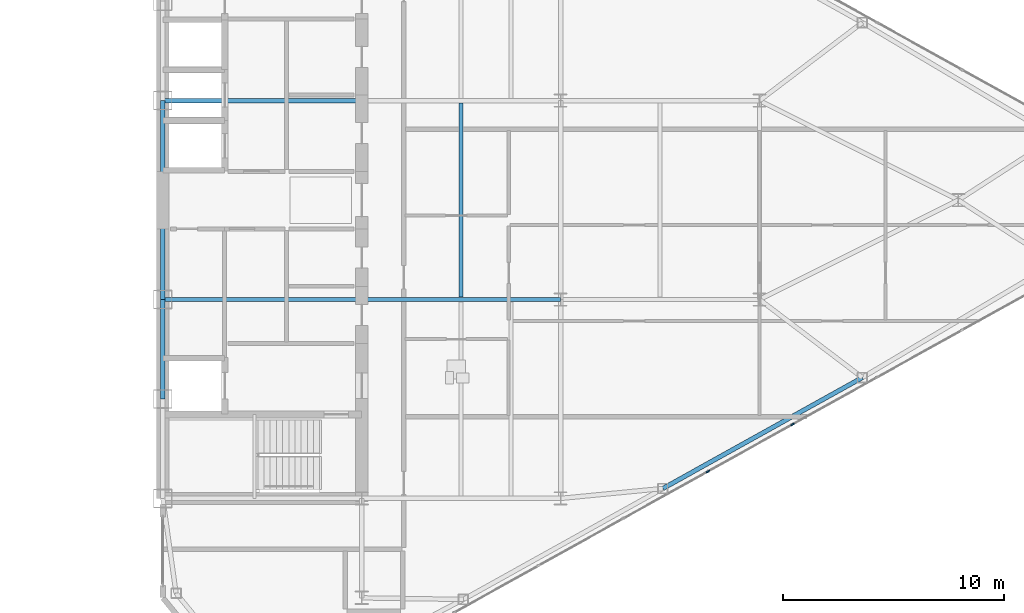
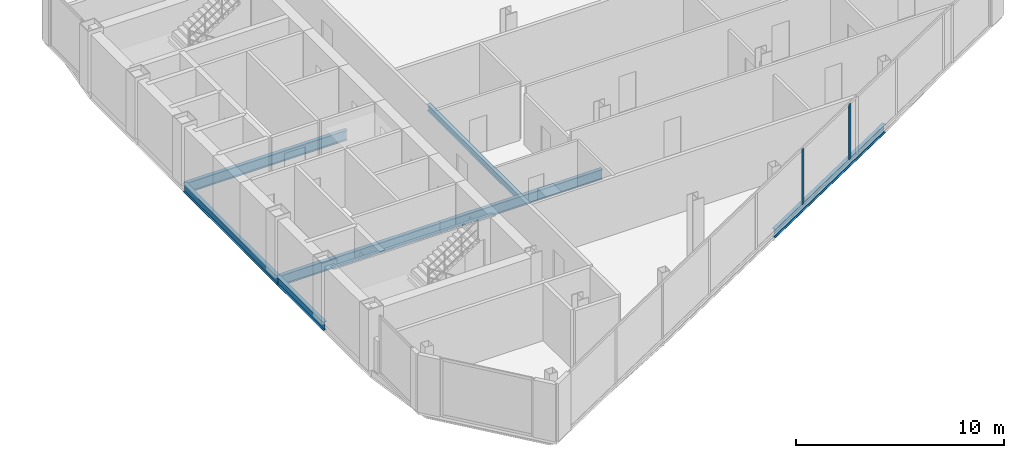
# One storey, part 13 of 26: 7 beams, 2 members, 1 element without a shape of its own.
"""IFC4 building model written with IfcOpenShell, lengths in metres."""

from ifc_helpers import new_model, si_unit, direction, frame, origin, origin_2d, place, context, subcontext, project, spatial, rectangle, i_section, extrude, source, transform, mapped, material, layer, layer_set, material_profile, profile_set, type_object, type_shapes, element, aggregate, save


model = new_model("IFC4")

# Units and contexts
model_context = context("Model", 3, precision=1e-05, world=origin(), true_north=direction((0.0, 1.0)))
body_context = subcontext(model_context, "Body", "Model", "MODEL_VIEW")
ifc_project = project(units=[si_unit("LENGTHUNIT", "METRE"), si_unit("AREAUNIT", "SQUARE_METRE"), si_unit("VOLUMEUNIT", "CUBIC_METRE"), si_unit("PLANEANGLEUNIT", "RADIAN"), si_unit("MASSUNIT", "GRAM", prefix="KILO")], contexts=[model_context])

# Site, building, storey
site_placement = place(None, origin())
site = spatial("IfcSite", under=ifc_project, at=site_placement, CompositionType="ELEMENT")
building_placement = place(site_placement, origin())
building = spatial("IfcBuilding", under=site, at=building_placement, Name="Seokmaru Belvedere", CompositionType="ELEMENT")
storey_placement = place(building_placement, frame((0.0, 0.0, 192.300048828125)))
storey = spatial("IfcBuildingStorey", under=building, at=storey_placement, Name="L51", CompositionType="ELEMENT", Elevation=192.300048828125)

# Beams
ifc_material_1 = material(Name="Steel SM355 (355 MPa)", Category="steel")
ifc_material_profile_1 = material_profile(ifc_material_1, i_section(OverallWidth=0.199951171875, OverallDepth=0.5, WebThickness=0.010009765625, FlangeThickness=0.01611328125, at=origin_2d()), Name="H-500x200x10x16")
ifc_profile_set_1 = profile_set([ifc_material_profile_1], Name="Steel SM355 (355 MPa)")
beam_type_1 = type_object("IfcBeamType", Name="Perimeter Spandrel Beam H-500", PredefinedType="SPANDREL", material=ifc_profile_set_1)
shared_shape_1 = source(origin(), body_context, "Body", "SweptSolid", [
    extrude(i_section(OverallWidth=0.199951171875, OverallDepth=0.5, WebThickness=0.010009765625, FlangeThickness=0.01611328125, at=origin_2d()), origin(), (0.0, 0.0, 1.0), 4.5),
])
beam_1_placement = place(storey_placement, frame((27.5, -9.0, -0.469970703125), z_axis=(0.0, 1.0, 0.0), x_axis=(-1.0, 0.0, 0.0)))
element("IfcBeam", 1, at=beam_1_placement, inside=storey, type_object=beam_type_1, Name="L51 E Portal Spine Spandrel 2", PredefinedType="SPANDREL", context=body_context, shape_type="MappedRepresentation", body=[
    mapped(shared_shape_1, transform((0.0, 0.0, 0.0), scale=1.0)),
])
shared_shape_2 = source(origin(), body_context, "Body", "SweptSolid", [
    extrude(i_section(OverallWidth=0.199951171875, OverallDepth=0.5, WebThickness=0.010009765625, FlangeThickness=0.01611328125, at=origin_2d()), origin(), (0.0, 0.0, 1.0), 9.0),
])
beam_2_placement = place(storey_placement, frame((27.5, -4.5, -0.469970703125), z_axis=(0.0, 1.0, 0.0), x_axis=(-1.0, 0.0, 0.0)))
element("IfcBeam", 2, at=beam_2_placement, inside=storey, type_object=beam_type_1, Name="L51 E Portal Spine Spandrel 3", PredefinedType="SPANDREL", context=body_context, shape_type="MappedRepresentation", body=[
    mapped(shared_shape_2, transform((0.0, 0.0, 0.0), scale=1.0)),
])
ifc_material_profile_2 = material_profile(ifc_material_1, i_section(OverallWidth=0.199951171875, OverallDepth=0.60009765625, WebThickness=0.010986328125, FlangeThickness=0.01708984375, at=origin_2d()), Name="H-600x200x11x17")
ifc_profile_set_2 = profile_set([ifc_material_profile_2], Name="Steel SM355 (355 MPa)")
beam_type_2 = type_object("IfcBeamType", Name="Primary Floor Girder H-600", PredefinedType="BEAM", material=ifc_profile_set_2)
shared_shape_3 = source(origin(), body_context, "Body", "SweptSolid", [
    extrude(i_section(OverallWidth=0.199951171875, OverallDepth=0.60009765625, WebThickness=0.010986328125, FlangeThickness=0.01708984375, at=origin_2d()), origin(), (0.0, 0.0, 1.0), 9.0),
])
type_shapes(beam_type_2, [shared_shape_3])
for number, where, z_axis, x_axis, name in (
    (3, (27.5, -4.5, -0.52001953125), (1.0, 0.0, 0.0), (0.0, 1.0, 0.0), "L51 E Core Tie Girder 2"),
    (4, (36.5, -4.5, -0.52001953125), (1.0, 0.0, 0.0), (0.0, 1.0, 0.0), "L51 E Wing Primary Girder 2"),
    (5, (27.5, 4.5, -0.52001953125), (1.0, 0.0, 0.0), (0.0, 1.0, 0.0), "L51 E Core Tie Girder 3"),
):
    element("IfcBeam", number, at=place(storey_placement, frame(where, z_axis=z_axis, x_axis=x_axis)), inside=storey, type_object=beam_type_2, Name=name, PredefinedType="BEAM", context=body_context, shape_type="MappedRepresentation", body=[
        mapped(shared_shape_3, transform((0.0, 0.0, 0.0), scale=1.0)),
    ])
ifc_material_profile_3 = material_profile(ifc_material_1, i_section(OverallWidth=0.18505859375, OverallDepth=0.389892578125, WebThickness=0.008056640625, FlangeThickness=0.011962890625, at=origin_2d()), Name="H-390x185x8x12")
ifc_profile_set_3 = profile_set([ifc_material_profile_3], Name="Steel SM355 (355 MPa)")
beam_type_3 = type_object("IfcBeamType", Name="Secondary Floor Joist H-350", PredefinedType="JOIST", material=ifc_profile_set_3)
shared_shape_4 = source(origin(), body_context, "Body", "SweptSolid", [
    extrude(i_section(OverallWidth=0.18505859375, OverallDepth=0.389892578125, WebThickness=0.008056640625, FlangeThickness=0.011962890625, at=origin_2d()), origin(), (0.0, 0.0, 1.0), 8.7900390625),
])
type_shapes(beam_type_3, [shared_shape_4])
beam_3_placement = place(storey_placement, frame((41.0, -4.39501953125, -0.4150390625), z_axis=(0.0, 1.0, 0.0), x_axis=(-1.0, 0.0, 0.0)))
element("IfcBeam", 6, at=beam_3_placement, inside=storey, type_object=beam_type_3, Name="L51 E Secondary Floor Joist 2", PredefinedType="JOIST", context=body_context, shape_type="MappedRepresentation", body=[
    mapped(shared_shape_4, transform((0.0, 0.0, 0.0), scale=1.0)),
])
shared_shape_5 = source(origin(), body_context, "Body", "SweptSolid", [
    extrude(i_section(OverallWidth=0.199951171875, OverallDepth=0.5, WebThickness=0.010009765625, FlangeThickness=0.01611328125, at=origin_2d()), origin(), (0.0, 0.0, 1.0), 10.327392578125),
])
type_shapes(beam_type_1, [shared_shape_1, shared_shape_2, shared_shape_5])
beam_4_placement = place(storey_placement, frame((50.129150390625, -13.051025390625, -0.469970703125), z_axis=(0.873934162361, 0.48604431882, 0.0), x_axis=(-0.48604431882, 0.873934162361, 0.0)))
element("IfcBeam", 7, at=beam_4_placement, inside=storey, type_object=beam_type_1, Name="L51 E Faceted Flank Spandrel S-3", PredefinedType="SPANDREL", context=body_context, shape_type="MappedRepresentation", body=[
    mapped(shared_shape_5, transform((0.0, 0.0, 0.0), scale=1.0)),
])

# Curtain wall, members
ifc_material_2 = material(Name="Bronze Triple Insulating Glass", Category="glass")
ifc_layer = layer(ifc_material_2, 0.179931640625)
ifc_layer_set = layer_set([ifc_layer], Name="Bronze Triple Insulating Glass")
curtain_wall_type = type_object("IfcCurtainWallType", Name="High-Rise Wind-Corner Curtain Wall System CW-5", PredefinedType="NOTDEFINED", material=ifc_layer_set)
curtain_wall_placement = place(storey_placement, origin())
curtain_wall = element("IfcCurtainWall", 8, at=curtain_wall_placement, inside=storey, type_object=curtain_wall_type, Name="L51 Curtain Wall EF1", PredefinedType="NOTDEFINED")
ifc_material_3 = material(Name="Anodised Bronze Aluminium", Category="aluminium")
ifc_material_profile_4 = material_profile(ifc_material_3, rectangle(XDim=0.06494140625, YDim=0.179931640625, at=origin_2d()), Name="CW-M-65x180")
ifc_profile_set_4 = profile_set([ifc_material_profile_4], Name="Anodised Bronze Aluminium")
member_type = type_object("IfcMemberType", Name="Bronze Unitised Mullion 65x180", PredefinedType="MULLION", material=ifc_profile_set_4)
shared_shape_6 = source(origin(), body_context, "Body", "SweptSolid", [
    extrude(rectangle(XDim=0.06494140625, YDim=0.179931640625, at=origin_2d()), origin(), (0.0, 0.0, 1.0), 3.25),
])
type_shapes(member_type, [shared_shape_6])
member_1_placement = place(storey_placement, frame((52.166015625, -12.2841796875, 0.06494140625), z_axis=(0.0, 0.0, 1.0), x_axis=(-0.486047125147, 0.873932601598, 0.0)))
member_1 = element("IfcMember", 9, at=member_1_placement, type_object=member_type, Name="CW:L51:EF1 Mullion 6", PredefinedType="MULLION", context=body_context, shape_type="MappedRepresentation", body=[
    mapped(shared_shape_6, transform((0.0, 0.0, 0.0), scale=1.0)),
])
member_2_placement = place(storey_placement, frame((55.998291015625, -10.153076171875, 0.06494140625), z_axis=(0.0, 0.0, 1.0), x_axis=(-0.486047125147, 0.873932601598, 0.0)))
member_2 = element("IfcMember", 10, at=member_2_placement, type_object=member_type, Name="CW:L51:EF1 Mullion 7", PredefinedType="MULLION", context=body_context, shape_type="MappedRepresentation", body=[
    mapped(shared_shape_6, transform((0.0, 0.0, 0.0), scale=1.0)),
])
aggregate(curtain_wall, [member_1, member_2])

save(model, "model.ifc")
